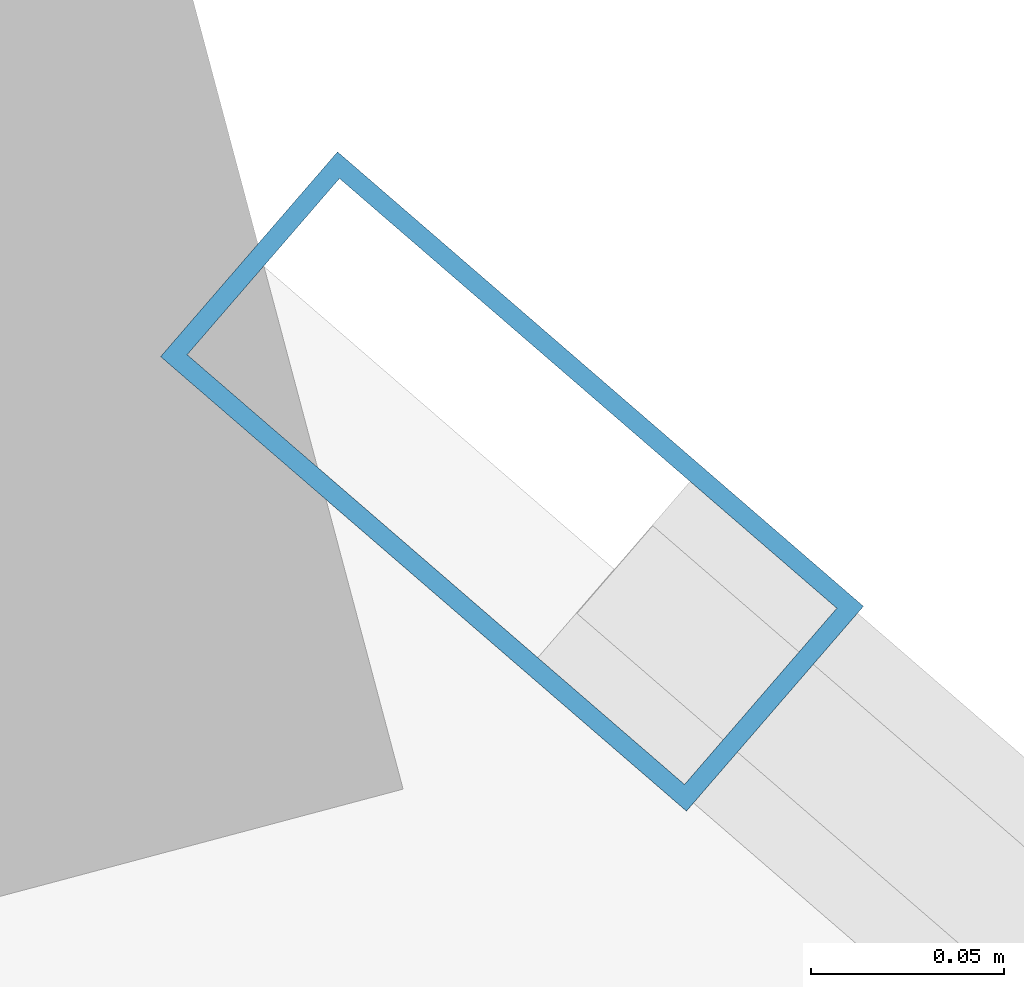
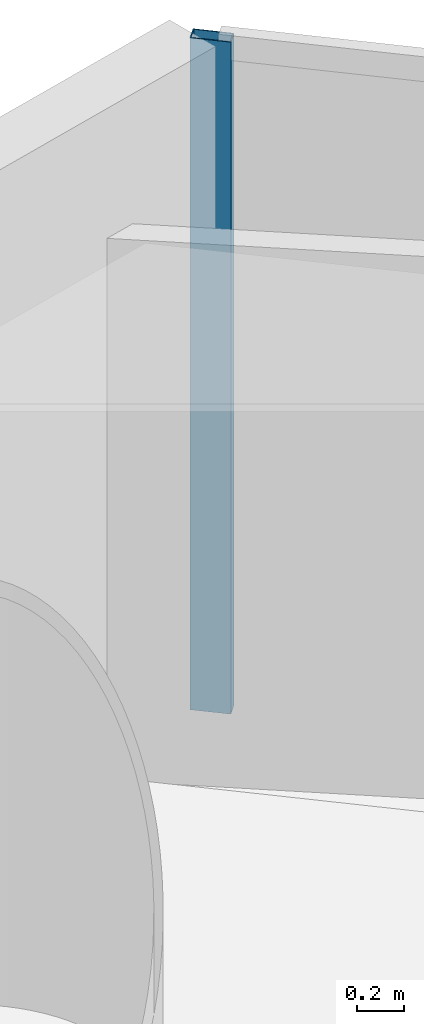
# One storey, part 15 of 23: 1 member, 1 element without a shape of its own.
"""IFC4 building model written with IfcOpenShell, lengths in metres."""

from ifc_helpers import new_model, si_unit, direction, frame, origin, origin_2d, place, context, subcontext, project, spatial, hollow_rectangle, extrude, material, layer, layer_set, material_profile, profile_set, type_object, element, aggregate, save


model = new_model("IFC4")

# Units and contexts
model_context = context("Model", 3, precision=1e-05, world=origin(), true_north=direction((0.0, 1.0)))
body_context = subcontext(model_context, "Body", "Model", "MODEL_VIEW")
ifc_project = project(units=[si_unit("LENGTHUNIT", "METRE"), si_unit("AREAUNIT", "SQUARE_METRE"), si_unit("VOLUMEUNIT", "CUBIC_METRE"), si_unit("PLANEANGLEUNIT", "RADIAN"), si_unit("MASSUNIT", "GRAM", prefix="KILO")], contexts=[model_context])

# Site, building, storey
site_placement = place(None, origin())
site = spatial("IfcSite", under=ifc_project, at=site_placement, CompositionType="ELEMENT")
building_placement = place(site_placement, origin())
building = spatial("IfcBuilding", under=site, at=building_placement, Name="Qianvela Tower", CompositionType="ELEMENT")
storey_placement = place(building_placement, frame((0.0, 0.0, 74.699951171875)))
storey = spatial("IfcBuildingStorey", under=building, at=storey_placement, Name="L18", CompositionType="ELEMENT", Elevation=74.699951171875)

# Curtain wall, member
ifc_material_1 = material(Name="Anodised Architectural Aluminium and Low-E Glass", Category="aluminium")
ifc_layer = layer(ifc_material_1, 0.179931640625)
ifc_layer_set = layer_set([ifc_layer], Name="Anodised Architectural Aluminium and Low-E Glass")
curtain_wall_type = type_object("IfcCurtainWallType", Name="CW-COLIV-Z12", PredefinedType="USERDEFINED", material=ifc_layer_set)
curtain_wall_placement = place(storey_placement, origin())
curtain_wall = element("IfcCurtainWall", 1, at=curtain_wall_placement, inside=storey, type_object=curtain_wall_type, Name="L18 CW-COLIV-Z12 Curtain Wall 02C", ObjectType="CURTAIN_WALL_SYSTEM", PredefinedType="USERDEFINED")
ifc_material_2 = material(Name="Anodised Architectural Aluminium 6063-T6", Category="aluminium")
ifc_material_profile = material_profile(ifc_material_2, hollow_rectangle(XDim=0.070068359375, YDim=0.179931640625, WallThickness=0.0048828125, at=origin_2d()), Name="ALU-MULL-70x180")
ifc_profile_set = profile_set([ifc_material_profile], Name="Anodised Architectural Aluminium 6063-T6")
member_type = type_object("IfcMemberType", Name="CW-COLIV-Z12-MULL", PredefinedType="MULLION", material=ifc_profile_set)
member_placement = place(storey_placement, frame((35.93994140625, 44.6416015625, 0.0), z_axis=(0.0, 0.0, 1.0), x_axis=(-0.653856295569, -0.75661875786, 0.0)))
member = element("IfcMember", 2, at=member_placement, type_object=member_type, Name="CW-3 mullion 2", PredefinedType="MULLION", context=body_context, shape_type="SweptSolid", body=[
    extrude(hollow_rectangle(XDim=0.070068359375, YDim=0.179931640625, WallThickness=0.0048828125, at=origin_2d()), origin(), (0.0, 0.0, 1.0), 3.52001953125),
])
aggregate(curtain_wall, [member])

save(model, "model.ifc")
